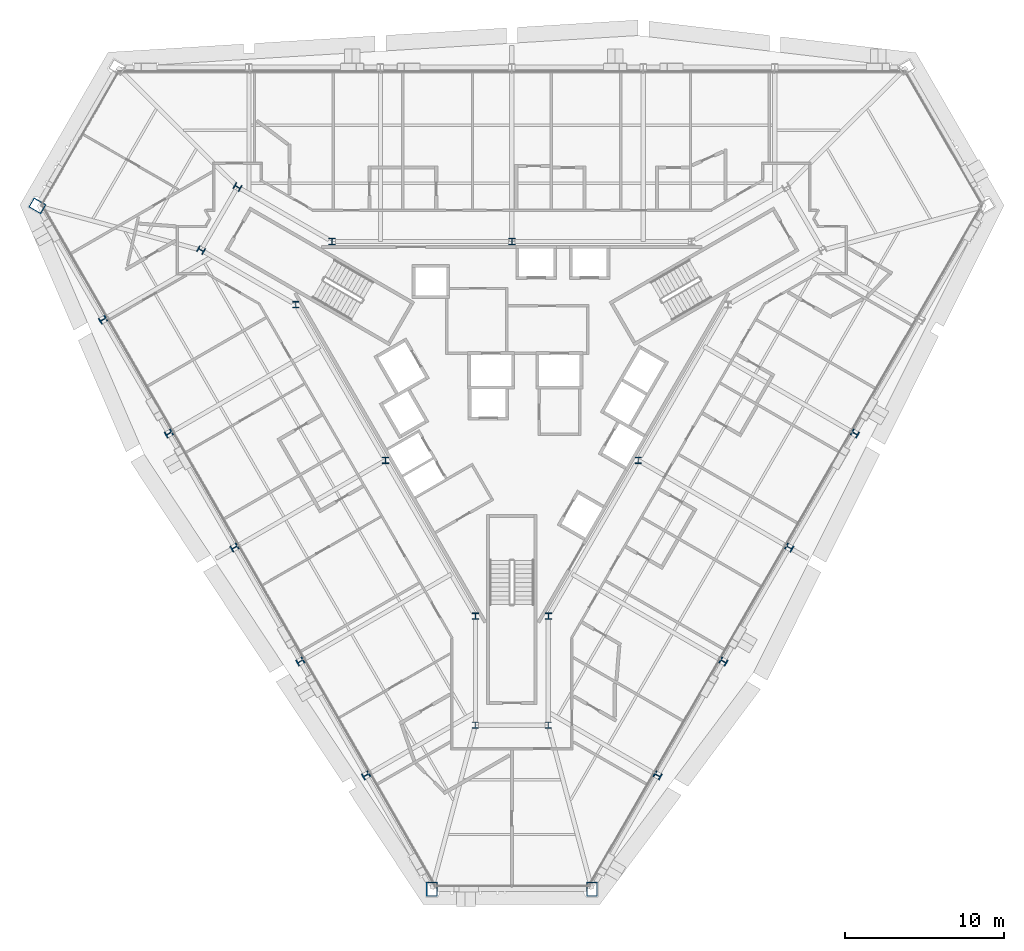
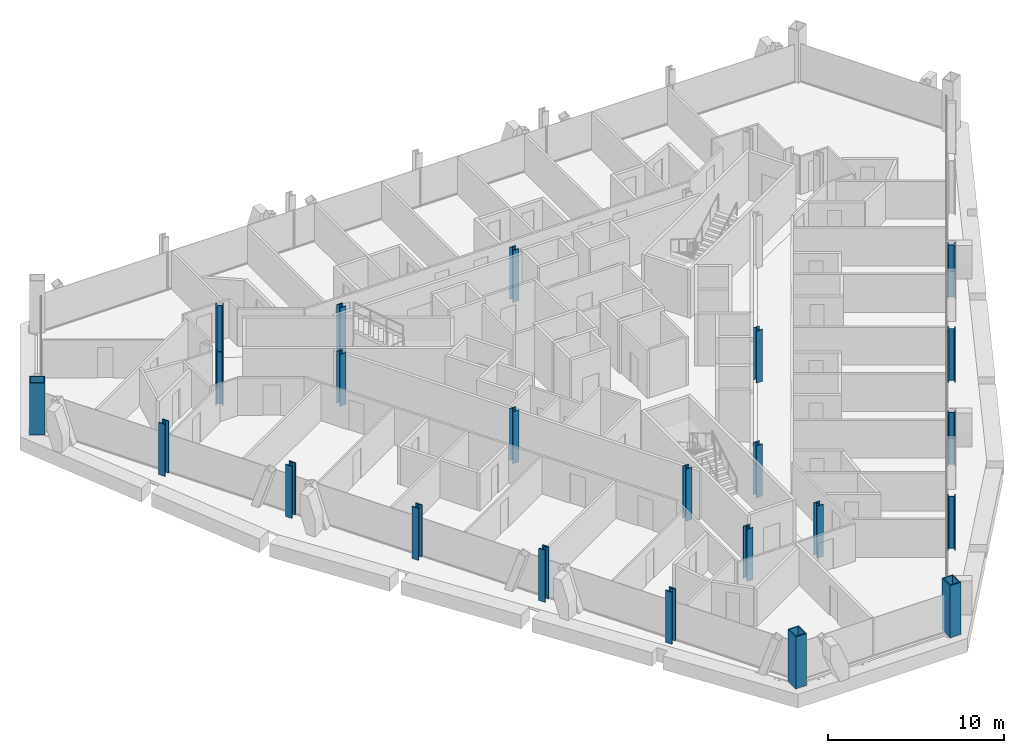
# One storey, part 1 of 17: 23 columns.
"""IFC4 building model written with IfcOpenShell, lengths in metres."""

from ifc_helpers import new_model, si_unit, direction, frame, origin, origin_2d, place, context, subcontext, project, spatial, hollow_rectangle, i_section, extrude, material, material_profile, profile_set, type_object, element, save


model = new_model("IFC4")

# Units and contexts
model_context = context("Model", 3, precision=1e-05, world=origin(), true_north=direction((0.0, 1.0)))
body_context = subcontext(model_context, "Body", "Model", "MODEL_VIEW")
ifc_project = project(units=[si_unit("LENGTHUNIT", "METRE"), si_unit("AREAUNIT", "SQUARE_METRE"), si_unit("VOLUMEUNIT", "CUBIC_METRE"), si_unit("PLANEANGLEUNIT", "RADIAN"), si_unit("MASSUNIT", "GRAM", prefix="KILO")], contexts=[model_context])

# Site, building, storey
site_placement = place(None, origin())
site = spatial("IfcSite", under=ifc_project, at=site_placement, CompositionType="ELEMENT")
building_placement = place(site_placement, origin())
building = spatial("IfcBuilding", under=site, at=building_placement, Name="Verrane Prism Tower", CompositionType="ELEMENT")
storey_placement = place(building_placement, frame((0.0, 0.0, 136.0)))
storey = spatial("IfcBuildingStorey", under=building, at=storey_placement, Name="L33", CompositionType="ELEMENT", Elevation=136.0)

# Columns
ifc_material_1 = material(Name="Steel A992", Category="steel")
ifc_material_profile_1 = material_profile(ifc_material_1, i_section(OverallWidth=0.411376953125, OverallDepth=0.434326171875, WebThickness=0.035888671875, FlangeThickness=0.057373046875, FilletRadius=0.01513671875, at=origin_2d()), Name="W14x311")
ifc_profile_set_1 = profile_set([ifc_material_profile_1], Name="Steel A992")
column_type_1 = type_object("IfcColumnType", Name="Core corner column W14x311", PredefinedType="COLUMN", material=ifc_profile_set_1)
for number, where, z_axis, x_axis, name in (
    (1, (-17.300048828125, 12.639892578125, 0.0), (0.0, 0.0, 1.0), (0.5, 0.866025403784, 0.0), "Core corner column CK-NWm L33"),
    (2, (-19.60009765625, 8.659912109375, 0.0), (0.0, 0.0, 1.0), (0.5, 0.866025403784, 0.0), "Core corner column CK-NWp L33"),
    (3, (-2.300048828125, -21.300048828125, 0.0), (0.0, 0.0, 1.0), (-1.0, 0.0, 0.0), "Core corner column CK-Sm L33"),
    (4, (2.300048828125, -21.300048828125, 0.0), (0.0, 0.0, 1.0), (-1.0, 0.0, 0.0), "Core corner column CK-Sp L33"),
):
    element("IfcColumn", number, at=place(storey_placement, frame(where, z_axis=z_axis, x_axis=x_axis)), inside=storey, type_object=column_type_1, Name=name, PredefinedType="COLUMN", context=body_context, shape_type="SweptSolid", body=[
        extrude(i_section(OverallWidth=0.411376953125, OverallDepth=0.434326171875, WebThickness=0.035888671875, FlangeThickness=0.057373046875, FilletRadius=0.01513671875, at=origin_2d()), origin(), (0.0, 0.0, 1.0), 3.60009765625),
    ])
ifc_material_2 = material(Name="Steel A992", Category="steel")
ifc_material_profile_2 = material_profile(ifc_material_2, i_section(OverallWidth=0.4013671875, OverallDepth=0.398681640625, WebThickness=0.02490234375, FlangeThickness=0.03955078125, FilletRadius=0.01513671875, at=origin_2d()), Name="W14x211")
ifc_profile_set_2 = profile_set([ifc_material_profile_2], Name="Steel A992")
column_type_2 = type_object("IfcColumnType", Name="Core side column W14x211", PredefinedType="COLUMN", material=ifc_profile_set_2)
for number, where, z_axis, x_axis, name in (
    (5, (0.0, 9.199951171875, 0.0), (0.0, 0.0, 1.0), (1.0, 0.0, 0.0), "Core side column CC-N0 L33"),
    (6, (-11.330078125, 9.199951171875, 0.0), (0.0, 0.0, 1.0), (1.0, 0.0, 0.0), "Core side column CC-NWm L33"),
    (7, (-13.6298828125, 5.219970703125, 0.0), (0.0, 0.0, 1.0), (1.0, 0.0, 0.0), "Core side column CC-NWp L33"),
    (8, (-7.969970703125, -4.60009765625, 0.0), (0.0, 0.0, 1.0), (1.0, 0.0, 0.0), "Core side column CC-SW0 L33"),
    (9, (-2.300048828125, -14.419921875, 0.0), (0.0, 0.0, 1.0), (1.0, 0.0, 0.0), "Core side column CC-Sm L33"),
    (10, (2.300048828125, -14.419921875, 0.0), (0.0, 0.0, 1.0), (1.0, 0.0, 0.0), "Core side column CC-Sp L33"),
    (11, (7.969970703125, -4.60009765625, 0.0), (0.0, 0.0, 1.0), (1.0, 0.0, 0.0), "Core side column CC-SE0 L33"),
):
    element("IfcColumn", number, at=place(storey_placement, frame(where, z_axis=z_axis, x_axis=x_axis)), inside=storey, type_object=column_type_2, Name=name, PredefinedType="COLUMN", context=body_context, shape_type="SweptSolid", body=[
        extrude(i_section(OverallWidth=0.4013671875, OverallDepth=0.398681640625, WebThickness=0.02490234375, FlangeThickness=0.03955078125, FilletRadius=0.01513671875, at=origin_2d()), origin(), (0.0, 0.0, 1.0), 3.60009765625),
    ])
ifc_material_3 = material(Name="Steel A572 Grade 50", Category="steel")
ifc_material_profile_3 = material_profile(ifc_material_3, hollow_rectangle(XDim=0.699951171875, YDim=0.89990234375, WallThickness=0.06494140625, at=origin_2d()), Name="BOX 900x700x65")
ifc_profile_set_3 = profile_set([ifc_material_profile_3], Name="Steel A572 Grade 50")
column_type_3 = type_object("IfcColumnType", Name="Megacolumn BOX 900x700x65", PredefinedType="COLUMN", material=ifc_profile_set_3)
for number, where, z_axis, x_axis, name in (
    (12, (-29.919921875, 11.449951171875, 0.0), (0.0, 0.0, 1.0), (0.5, 0.866025403784, 0.0), "Megacolumn MC-NW.b L33"),
    (13, (-5.050048828125, -31.639892578125, 0.0), (0.0, 0.0, 1.0), (-1.0, 0.0, 0.0), "Megacolumn MC-S.a L33"),
    (14, (5.050048828125, -31.639892578125, 0.0), (0.0, 0.0, 1.0), (-1.0, 0.0, 0.0), "Megacolumn MC-S.b L33"),
):
    element("IfcColumn", number, at=place(storey_placement, frame(where, z_axis=z_axis, x_axis=x_axis)), inside=storey, type_object=column_type_3, Name=name, PredefinedType="COLUMN", context=body_context, shape_type="SweptSolid", body=[
        extrude(hollow_rectangle(XDim=0.699951171875, YDim=0.89990234375, WallThickness=0.06494140625, at=origin_2d()), origin(), (0.0, 0.0, 1.0), 3.60009765625),
    ])
ifc_material_4 = material(Name="Steel A992", Category="steel")
ifc_material_profile_4 = material_profile(ifc_material_4, i_section(OverallWidth=0.419189453125, OverallDepth=0.45458984375, WebThickness=0.042236328125, FlangeThickness=0.067626953125, FilletRadius=0.01513671875, at=origin_2d()), Name="W14x370")
ifc_profile_set_4 = profile_set([ifc_material_profile_4], Name="Steel A992")
column_type_4 = type_object("IfcColumnType", Name="Perimeter column W14x370", PredefinedType="COLUMN", material=ifc_profile_set_4)
for number, where, z_axis, x_axis, name in (
    (15, (-25.780029296875, 4.27001953125, 0.0), (0.0, 0.0, 1.0), (-0.5, 0.866025403784, 0.0), "Perimeter column PC-SW1 L33"),
    (16, (-21.6298828125, -2.909912109375, 0.0), (0.0, 0.0, 1.0), (-0.5, 0.866025403784, 0.0), "Perimeter column PC-SW2 L33"),
    (17, (-17.489990234375, -10.10009765625, 0.0), (0.0, 0.0, 1.0), (-0.5, 0.866025403784, 0.0), "Perimeter column PC-SW3 L33"),
    (18, (-13.340087890625, -17.280029296875, 0.0), (0.0, 0.0, 1.0), (-0.5, 0.866025403784, 0.0), "Perimeter column PC-SW4 L33"),
    (19, (-9.18994140625, -24.4599609375, 0.0), (0.0, 0.0, 1.0), (-0.5, 0.866025403784, 0.0), "Perimeter column PC-SW5 L33"),
    (20, (9.18994140625, -24.4599609375, 0.0), (0.0, 0.0, 1.0), (-0.5, -0.866025403784, 0.0), "Perimeter column PC-SE1 L33"),
    (21, (13.340087890625, -17.280029296875, 0.0), (0.0, 0.0, 1.0), (-0.5, -0.866025403784, 0.0), "Perimeter column PC-SE2 L33"),
    (22, (17.489990234375, -10.10009765625, 0.0), (0.0, 0.0, 1.0), (-0.5, -0.866025403784, 0.0), "Perimeter column PC-SE3 L33"),
    (23, (21.6298828125, -2.909912109375, 0.0), (0.0, 0.0, 1.0), (-0.5, -0.866025403784, 0.0), "Perimeter column PC-SE4 L33"),
):
    element("IfcColumn", number, at=place(storey_placement, frame(where, z_axis=z_axis, x_axis=x_axis)), inside=storey, type_object=column_type_4, Name=name, PredefinedType="COLUMN", context=body_context, shape_type="SweptSolid", body=[
        extrude(i_section(OverallWidth=0.419189453125, OverallDepth=0.45458984375, WebThickness=0.042236328125, FlangeThickness=0.067626953125, FilletRadius=0.01513671875, at=origin_2d()), origin(), (0.0, 0.0, 1.0), 3.60009765625),
    ])

save(model, "model.ifc")
